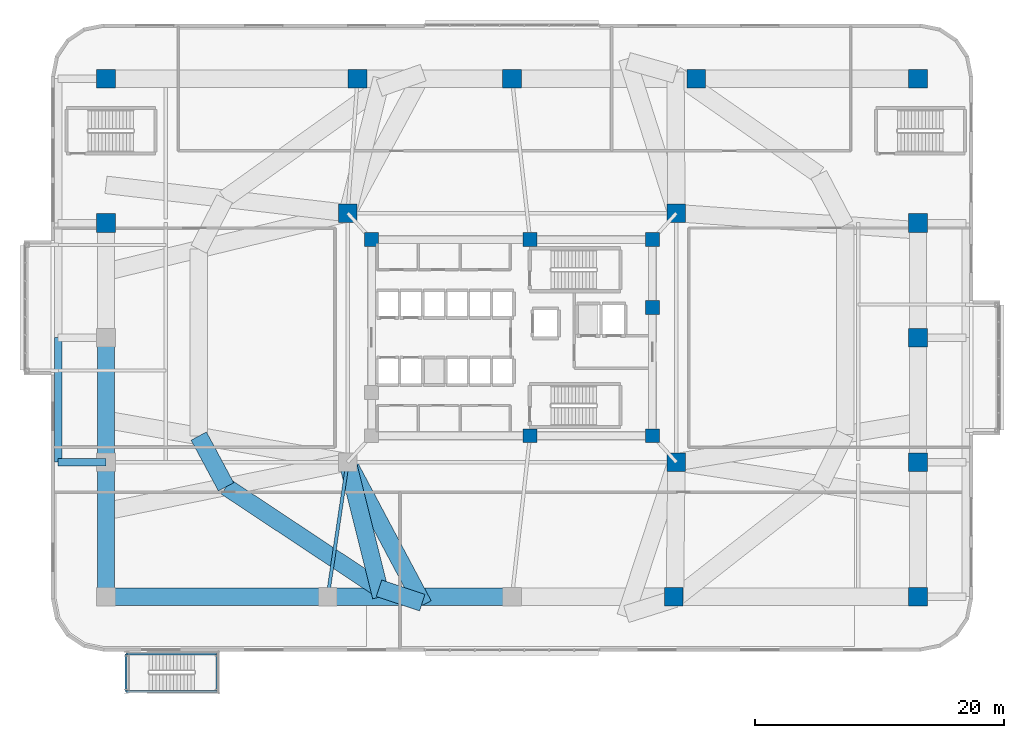
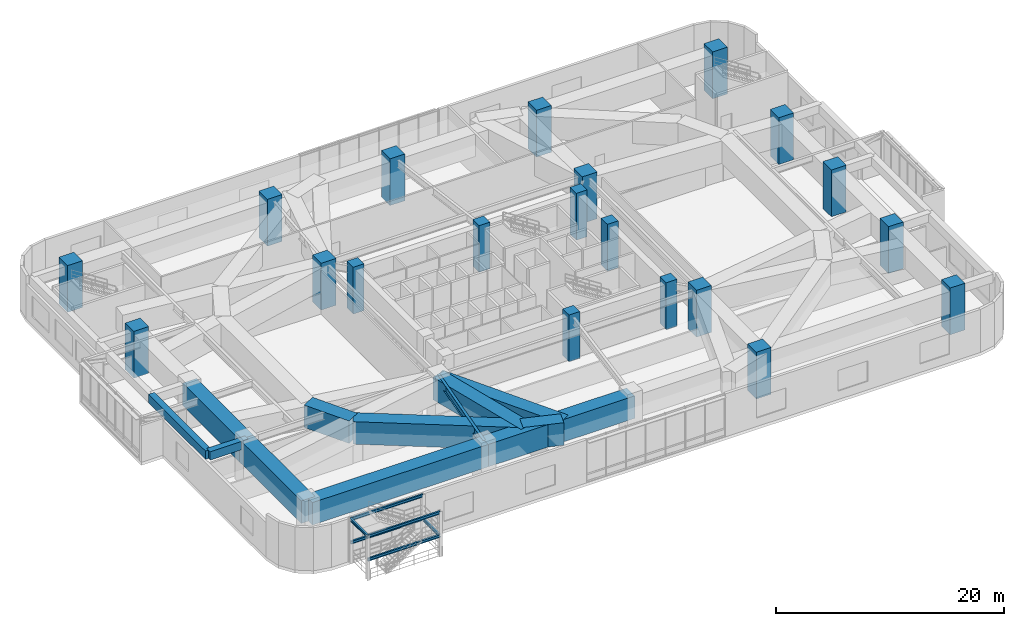
# One storey, part 2 of 26: 20 columns, 18 beams.
"""IFC4 building model written with IfcOpenShell, lengths in metres."""

import ifcopenshell
import ifcopenshell.guid

model = None  # the IFC model being written
_history = None  # IfcOwnerHistory: only IFC2X3 demands one
_inside = {}  # id of a spatial element -> (the spatial element, [elements in it])
_under = {}  # id of a project, library or spatial element -> (it, [spatial elements below it])
_declared = {}  # id of a project -> (the project, [libraries it declares])
_typed = {}  # id of a type object -> (the type object, [elements of that type])
_made_of = {}  # id of a material, layer set ... -> (it, [elements and type objects made of it])


def new_model(schema):
    """Start an empty IFC model of exactly this schema.

    Asked for "IFC4X3", IfcOpenShell would pick the latest addendum, in which some entities
    have other attributes; the version numbers below select the first issue.
    IFC2X3 requires an IfcOwnerHistory on every rooted entity: one is made here for all.
    """
    global model, _history
    if schema == "IFC4X3":
        model = ifcopenshell.file(schema_version=(4, 3, 0, 0))
    else:
        model = ifcopenshell.file(schema=schema)
    _inside.clear()
    _under.clear()
    _declared.clear()
    _typed.clear()
    _made_of.clear()
    _history = None
    if model.schema == "IFC2X3":
        org = make("IfcOrganization", Name="unknown")
        user = make(
            "IfcPersonAndOrganization",
            ThePerson=make("IfcPerson", FamilyName="unknown"),
            TheOrganization=org,
        )
        app = make(
            "IfcApplication",
            ApplicationDeveloper=org,
            Version="unknown",
            ApplicationFullName="unknown",
            ApplicationIdentifier="unknown",
        )
        _history = make(
            "IfcOwnerHistory",
            OwningUser=user,
            OwningApplication=app,
            ChangeAction="ADDED",
            CreationDate=0,
        )
    return model


def make(cls, **values):
    """One entity of the class cls with the attributes given. An attribute that is None is left unset."""
    return model.create_entity(
        cls, **{name: value for name, value in values.items() if value is not None}
    )


def rooted(cls, **values):
    """An entity with a GlobalId (a new one), such as an element, a storey or a relation."""
    return make(cls, GlobalId=ifcopenshell.guid.new(), OwnerHistory=_history, **values)


def si_unit(unit_type, name, prefix=None):
    """IfcSIUnit, for example si_unit("LENGTHUNIT", "METRE", prefix="MILLI")."""
    return make("IfcSIUnit", UnitType=unit_type, Prefix=prefix, Name=name)


def assignment(units):
    """IfcUnitAssignment: the units of a project."""
    return None if units is None else make("IfcUnitAssignment", Units=units)


def point(xyz):
    """IfcCartesianPoint."""
    return None if xyz is None else make("IfcCartesianPoint", Coordinates=xyz)


def direction(xyz):
    """IfcDirection."""
    return None if xyz is None else make("IfcDirection", DirectionRatios=xyz)


def frame(location, z_axis=None, x_axis=None):
    """IfcAxis2Placement3D, a coordinate frame: its origin and axes. An axis left out is left unset."""
    return make(
        "IfcAxis2Placement3D",
        Location=point(location),
        Axis=direction(z_axis),
        RefDirection=direction(x_axis),
    )


def frame_2d(location, x_axis=None):
    """IfcAxis2Placement2D, a coordinate frame in the plane: its origin and x axis."""
    return make(
        "IfcAxis2Placement2D", Location=point(location), RefDirection=direction(x_axis)
    )


def origin():
    """The frame at (0, 0, 0) with its axes left unset."""
    return frame((0.0, 0.0, 0.0))


def origin_2d():
    """The frame at (0, 0) in the plane with its x axis left unset."""
    return frame_2d((0.0, 0.0))


def place(relative_to, where):
    """IfcLocalPlacement: puts the frame where relative to a parent placement (None: the world)."""
    return make(
        "IfcLocalPlacement", PlacementRelTo=relative_to, RelativePlacement=where
    )


def context(
    kind, dimensions, precision=None, world=None, true_north=None, identifier=None
):
    """IfcGeometricRepresentationContext, for example the 3D "Model" context."""
    return make(
        "IfcGeometricRepresentationContext",
        ContextIdentifier=identifier,
        ContextType=kind,
        CoordinateSpaceDimension=dimensions,
        Precision=precision,
        WorldCoordinateSystem=world,
        TrueNorth=true_north,
    )


def subcontext(parent, identifier, kind, view, scale=None):
    """IfcGeometricRepresentationSubContext, for example "Body" below "Model"."""
    return make(
        "IfcGeometricRepresentationSubContext",
        ContextIdentifier=identifier,
        ContextType=kind,
        ParentContext=parent,
        TargetScale=scale,
        TargetView=view,
    )


def project(units=None, contexts=None):
    """IfcProject with its units and contexts."""
    return rooted(
        "IfcProject",
        Name="project",
        RepresentationContexts=contexts,
        UnitsInContext=assignment(units),
    )


def spatial(cls, under=None, at=None, **own):
    """A site, building, storey or space (cls), placed at a placement, below another one or the project."""
    s = rooted(cls, ObjectPlacement=at, **own)
    if under is not None:
        _under.setdefault(under.id(), (under, []))[1].append(s)
    return s


def profile(cls, at=None, kind="AREA", **sizes):
    """A parametric profile (cls). Its sizes go by their IFC names, for example OverallWidth=200.0."""
    return make(cls, ProfileType=kind, Position=at, **sizes)


def rectangle(**sizes):
    """IfcRectangleProfileDef."""
    return profile("IfcRectangleProfileDef", **sizes)


def i_section(**sizes):
    """IfcIShapeProfileDef."""
    return profile("IfcIShapeProfileDef", **sizes)


def extrude(swept, where, along, depth):
    """IfcExtrudedAreaSolid: the profile swept, set in the frame where, extruded along a direction by depth."""
    return make(
        "IfcExtrudedAreaSolid",
        SweptArea=swept,
        Position=where,
        ExtrudedDirection=direction(along),
        Depth=depth,
    )


def shape(context_of_items, identifier, shape_type, items):
    """IfcShapeRepresentation: the items that make up one representation, for example the "Body"."""
    return make(
        "IfcShapeRepresentation",
        ContextOfItems=context_of_items,
        RepresentationIdentifier=identifier,
        RepresentationType=shape_type,
        Items=items,
    )


def material(Name=None, Category=None):
    """IfcMaterial."""
    return make("IfcMaterial", Name=Name, Category=Category)


def material_profile(
    of_material, cross_section, Name=None, Category=None, Priority=None
):
    """IfcMaterialProfile: a cross section and its material."""
    return make(
        "IfcMaterialProfile",
        Name=Name,
        Material=of_material,
        Profile=cross_section,
        Priority=Priority,
        Category=Category,
    )


def profile_set(profiles, Name=None, composite=None):
    """IfcMaterialProfileSet."""
    return make(
        "IfcMaterialProfileSet",
        Name=Name,
        MaterialProfiles=profiles,
        CompositeProfile=composite,
    )


def made_of(thing, what):
    """Note that an element or type object is made of a material, layer set ...; save() writes the relation."""
    if what is not None:
        _made_of.setdefault(what.id(), (what, []))[1].append(thing)
    return thing


def type_object(cls, material=None, **own):
    """A type object (cls), such as IfcWallType, which elements share."""
    return made_of(rooted(cls, **own), material)


def element(
    cls,
    number,
    at=None,
    inside=None,
    cuts=None,
    type_object=None,
    material=None,
    context=None,
    identifier="Body",
    shape_type=None,
    held_by="IfcProductDefinitionShape",
    body=None,
    shapes=None,
    **own,
):
    """One element of the class cls, such as IfcWall. Its Tag is "e" and its number.

    at: its placement. inside: the storey or other place that contains it. cuts: it is an
    opening in that element (IfcRelVoidsElement). A single representation is given by context,
    identifier, shape_type and body (its items); several are given by shapes. held_by: the class
    of the entity that holds the representations. save() writes the other relations.
    """
    e = rooted(cls, Tag="e%d" % number, ObjectPlacement=at, **own)
    if body is not None:
        shapes = [shape(context, identifier, shape_type, body)]
    if shapes is not None:
        e.Representation = make(held_by, Representations=shapes)
    if inside is not None:
        _inside.setdefault(inside.id(), (inside, []))[1].append(e)
    if cuts is not None:
        rooted(
            "IfcRelVoidsElement", RelatingBuildingElement=cuts, RelatedOpeningElement=e
        )
    if type_object is not None:
        _typed.setdefault(type_object.id(), (type_object, []))[1].append(e)
    return made_of(e, material)


def aggregate(whole, parts):
    """IfcRelAggregates: a whole, such as a stair, and the parts it consists of."""
    return rooted("IfcRelAggregates", RelatingObject=whole, RelatedObjects=parts)


def save(model, path):
    """Write the relations noted so far, then the file.

    IfcRelAggregates (storeys below a building ...), IfcRelContainedInSpatialStructure (elements
    in a storey), IfcRelDefinesByType, IfcRelAssociatesMaterial and IfcRelDeclares: one each for
    every whole, place, type object, material and project.
    """
    for whole, parts in _under.values():
        aggregate(whole, parts)
    for where, things in _inside.values():
        rooted(
            "IfcRelContainedInSpatialStructure",
            RelatedElements=things,
            RelatingStructure=where,
        )
    for kind, things in _typed.values():
        rooted("IfcRelDefinesByType", RelatedObjects=things, RelatingType=kind)
    for what, things in _made_of.values():
        rooted("IfcRelAssociatesMaterial", RelatedObjects=things, RelatingMaterial=what)
    for by, libraries in _declared.values():
        rooted("IfcRelDeclares", RelatingContext=by, RelatedDefinitions=libraries)
    model.write(path)


model = new_model("IFC4")

# Units and contexts
model_context = context("Model", 3, precision=1e-05, world=origin(), true_north=direction((0.0, 1.0)))
body_context = subcontext(model_context, "Body", "Model", "MODEL_VIEW")
ifc_project = project(units=[si_unit("LENGTHUNIT", "METRE"), si_unit("AREAUNIT", "SQUARE_METRE"), si_unit("VOLUMEUNIT", "CUBIC_METRE"), si_unit("PLANEANGLEUNIT", "RADIAN"), si_unit("MASSUNIT", "GRAM", prefix="KILO")], contexts=[model_context])

# Site, building, storey
site_placement = place(None, origin())
site = spatial("IfcSite", under=ifc_project, at=site_placement, CompositionType="ELEMENT")
building_placement = place(site_placement, origin())
building = spatial("IfcBuilding", under=site, at=building_placement, Name="Zulverin Broadcast Headquarters", CompositionType="ELEMENT")
storey_placement = place(building_placement, frame((0.0, 0.0, 20.0)))
storey = spatial("IfcBuildingStorey", under=building, at=storey_placement, Name="L04", CompositionType="ELEMENT", Elevation=20.0)

# Columns
ifc_material_1 = material(Name="Concrete C60/75", Category="concrete")
ifc_material_profile_1 = material_profile(ifc_material_1, rectangle(XDim=1.5, YDim=1.5, at=origin_2d()), Name="Concrete C60/75", Category="concrete")
ifc_profile_set_1 = profile_set([ifc_material_profile_1], Name="Concrete C60/75")
column_type_1 = type_object("IfcColumnType", Name="COL-RC-1500", PredefinedType="COLUMN", material=ifc_profile_set_1)
for number, where, z_axis, x_axis, name in (
    (1, (50.0, 4.39990234375, 0.0), (0.0, 0.0, 1.0), (1.0, 0.0, 0.0), "L04 Podium Mega Column P04"),
    (2, (69.60009765625, 4.39990234375, 0.0), (0.0, 0.0, 1.0), (1.0, 0.0, 0.0), "L04 Podium Mega Column P05"),
    (3, (4.39990234375, 46.0, 0.0), (0.0, 0.0, 1.0), (1.0, 0.0, 0.0), "L04 Podium Mega Column P06"),
    (4, (24.60009765625, 46.0, 0.0), (0.0, 0.0, 1.0), (1.0, 0.0, 0.0), "L04 Podium Mega Column P07"),
    (5, (37.0, 46.0, 0.0), (0.0, 0.0, 1.0), (1.0, 0.0, 0.0), "L04 Podium Mega Column P08"),
    (6, (51.800048828125, 46.0, 0.0), (0.0, 0.0, 1.0), (1.0, 0.0, 0.0), "L04 Podium Mega Column P09"),
    (7, (69.60009765625, 46.0, 0.0), (0.0, 0.0, 1.0), (1.0, 0.0, 0.0), "L04 Podium Mega Column P10"),
    (8, (4.39990234375, 34.39990234375, 0.0), (0.0, 0.0, 1.0), (1.0, 0.0, 0.0), "L04 Podium Mega Column P13"),
    (9, (69.60009765625, 15.199951171875, 0.0), (0.0, 0.0, 1.0), (1.0, 0.0, 0.0), "L04 Podium Mega Column P14"),
    (10, (69.60009765625, 25.199951171875, 0.0), (0.0, 0.0, 1.0), (1.0, 0.0, 0.0), "L04 Podium Mega Column P15"),
    (11, (69.60009765625, 34.39990234375, 0.0), (0.0, 0.0, 1.0), (1.0, 0.0, 0.0), "L04 Podium Mega Column P16"),
    (12, (50.199951171875, 15.199951171875, 0.0), (0.0, 0.0, 1.0), (1.0, 0.0, 0.0), "L04 Podium Mega Column M02"),
    (13, (50.199951171875, 35.199951171875, 0.0), (0.0, 0.0, 1.0), (1.0, 0.0, 0.0), "L04 Podium Mega Column M03"),
    (14, (23.800048828125, 35.199951171875, 0.0), (0.0, 0.0, 1.0), (1.0, 0.0, 0.0), "L04 Podium Mega Column M04"),
):
    element("IfcColumn", number, at=place(storey_placement, frame(where, z_axis=z_axis, x_axis=x_axis)), inside=storey, type_object=column_type_1, Name=name, PredefinedType="COLUMN", context=body_context, shape_type="SweptSolid", body=[
        extrude(rectangle(XDim=1.5, YDim=1.5, at=origin_2d()), origin(), (0.0, 0.0, 1.0), 5.0),
    ])
ifc_material_profile_2 = material_profile(ifc_material_1, rectangle(XDim=1.10009765625, YDim=1.10009765625, at=origin_2d()), Name="Concrete C60/75", Category="concrete")
ifc_profile_set_2 = profile_set([ifc_material_profile_2], Name="Concrete C60/75")
column_type_2 = type_object("IfcColumnType", Name="PIL-RC-1100", PredefinedType="PILASTER", material=ifc_profile_set_2)
for number, where, z_axis, x_axis, name in (
    (15, (38.449951171875, 17.324951171875, 0.0), (0.0, 0.0, 1.0), (1.0, 0.0, 0.0), "L04 Core Pilaster K02"),
    (16, (48.27490234375, 17.324951171875, 0.0), (0.0, 0.0, 1.0), (1.0, 0.0, 0.0), "L04 Core Pilaster K03"),
    (17, (48.27490234375, 27.6201171875, 0.0), (0.0, 0.0, 1.0), (1.0, 0.0, 0.0), "L04 Core Pilaster K04"),
    (18, (48.27490234375, 33.074951171875, 0.0), (0.0, 0.0, 1.0), (1.0, 0.0, 0.0), "L04 Core Pilaster K05"),
    (19, (38.449951171875, 33.074951171875, 0.0), (0.0, 0.0, 1.0), (1.0, 0.0, 0.0), "L04 Core Pilaster K06"),
    (20, (25.72509765625, 33.074951171875, 0.0), (0.0, 0.0, 1.0), (1.0, 0.0, 0.0), "L04 Core Pilaster K07"),
):
    element("IfcColumn", number, at=place(storey_placement, frame(where, z_axis=z_axis, x_axis=x_axis)), inside=storey, type_object=column_type_2, Name=name, PredefinedType="PILASTER", context=body_context, shape_type="SweptSolid", body=[
        extrude(rectangle(XDim=1.10009765625, YDim=1.10009765625, at=origin_2d()), origin(), (0.0, 0.0, 1.0), 5.0),
    ])

# Beams
ifc_material_2 = material(Name="Concrete C40/50", Category="concrete")
ifc_material_profile_3 = material_profile(ifc_material_2, rectangle(XDim=0.60009765625, YDim=0.89990234375, at=origin_2d()), Name="Concrete C40/50", Category="concrete")
ifc_profile_set_3 = profile_set([ifc_material_profile_3], Name="Concrete C40/50")
beam_type_1 = type_object("IfcBeamType", Name="BM-RC-600x900", PredefinedType="BEAM", material=ifc_profile_set_3)
beam_1_placement = place(storey_placement, frame((4.39990234375, 15.199951171875, 4.14990234375), z_axis=(-1.0, 0.0, 0.0), x_axis=(0.0, -1.0, 0.0)))
element("IfcBeam", 21, at=beam_1_placement, inside=storey, type_object=beam_type_1, Name="L04 West Perimeter Bracket Girder WBR-1", PredefinedType="BEAM", context=body_context, shape_type="SweptSolid", body=[
    extrude(rectangle(XDim=0.60009765625, YDim=0.89990234375, at=origin_2d()), origin(), (0.0, 0.0, 1.0), 3.849853515625),
])
beam_2_placement = place(storey_placement, frame((0.550048828125, 15.199951171875, 4.14990234375), z_axis=(0.0, 1.0, 0.0), x_axis=(-1.0, 0.0, 0.0)))
element("IfcBeam", 22, at=beam_2_placement, inside=storey, type_object=beam_type_1, Name="L04 West Edge Spandrel Girder WEG-1", PredefinedType="BEAM", context=body_context, shape_type="SweptSolid", body=[
    extrude(rectangle(XDim=0.60009765625, YDim=0.89990234375, at=origin_2d()), origin(), (0.0, 0.0, 1.0), 10.0),
])
ifc_material_profile_4 = material_profile(ifc_material_1, rectangle(XDim=1.39990234375, YDim=2.39990234375, at=origin_2d()), Name="Concrete C60/75", Category="concrete")
ifc_profile_set_4 = profile_set([ifc_material_profile_4], Name="Concrete C60/75")
beam_type_2 = type_object("IfcBeamType", Name="BM-TG-1400x2400", PredefinedType="USERDEFINED", material=ifc_profile_set_4)
beam_3_placement = place(storey_placement, frame((4.39990234375, 4.39990234375, 3.39990234375), z_axis=(1.0, 0.0, 0.0), x_axis=(0.0, 1.0, 0.0)))
element("IfcBeam", 23, at=beam_3_placement, inside=storey, type_object=beam_type_2, Name="L04 Podium Transfer Ring Girder P01-P02", ObjectType="TRANSFER GIRDER", PredefinedType="USERDEFINED", context=body_context, shape_type="SweptSolid", body=[
    extrude(rectangle(XDim=1.39990234375, YDim=2.39990234375, at=origin_2d()), origin(), (0.0, 0.0, 1.0), 17.800048828125),
])
beam_4_placement = place(storey_placement, frame((22.199951171875, 4.39990234375, 3.39990234375), z_axis=(1.0, 0.0, 0.0), x_axis=(0.0, 1.0, 0.0)))
element("IfcBeam", 24, at=beam_4_placement, inside=storey, type_object=beam_type_2, Name="L04 Podium Transfer Ring Girder P02-P03", ObjectType="TRANSFER GIRDER", PredefinedType="USERDEFINED", context=body_context, shape_type="SweptSolid", body=[
    extrude(rectangle(XDim=1.39990234375, YDim=2.39990234375, at=origin_2d()), origin(), (0.0, 0.0, 1.0), 14.800048828125),
])
beam_5_placement = place(storey_placement, frame((4.39990234375, 25.199951171875, 3.39990234375), z_axis=(0.0, -1.0, 0.0), x_axis=(1.0, 0.0, 0.0)))
element("IfcBeam", 25, at=beam_5_placement, inside=storey, type_object=beam_type_2, Name="L04 Podium Transfer Ring Girder P12-P11", ObjectType="TRANSFER GIRDER", PredefinedType="USERDEFINED", context=body_context, shape_type="SweptSolid", body=[
    extrude(rectangle(XDim=1.39990234375, YDim=2.39990234375, at=origin_2d()), origin(), (0.0, 0.0, 1.0), 10.0),
])
beam_6_placement = place(storey_placement, frame((4.39990234375, 15.199951171875, 3.39990234375), z_axis=(0.0, -1.0, 0.0), x_axis=(1.0, 0.0, 0.0)))
element("IfcBeam", 26, at=beam_6_placement, inside=storey, type_object=beam_type_2, Name="L04 Podium Transfer Ring Girder P11-P01", ObjectType="TRANSFER GIRDER", PredefinedType="USERDEFINED", context=body_context, shape_type="SweptSolid", body=[
    extrude(rectangle(XDim=1.39990234375, YDim=2.39990234375, at=origin_2d()), origin(), (0.0, 0.0, 1.0), 10.800048828125),
])
beam_7_placement = place(storey_placement, frame((23.800048828125, 15.199951171875, 3.39990234375), z_axis=(0.469453789367, -0.882957042924, 0.0), x_axis=(0.882957042924, 0.469453789367, 0.0)))
element("IfcBeam", 27, at=beam_7_placement, inside=storey, type_object=beam_type_2, Name="L05 Tower Base Continuous Transfer Girder TG-01", ObjectType="TRANSFER GIRDER", PredefinedType="USERDEFINED", context=body_context, shape_type="SweptSolid", body=[
    extrude(rectangle(XDim=1.39990234375, YDim=2.39990234375, at=origin_2d()), origin(), (0.0, 0.0, 1.0), 12.97265625),
])
beam_8_placement = place(storey_placement, frame((11.85009765625, 17.297607421875, 3.39990234375), z_axis=(0.472979536362, -0.881073412482, 0.0), x_axis=(0.881073412482, 0.472979536362, 0.0)))
element("IfcBeam", 28, at=beam_8_placement, inside=storey, type_object=beam_type_2, Name="L05 Tower Base Transfer Ring Girder TGR-14", ObjectType="TRANSFER GIRDER", PredefinedType="USERDEFINED", context=body_context, shape_type="SweptSolid", body=[
    extrude(rectangle(XDim=1.39990234375, YDim=2.39990234375, at=origin_2d()), origin(), (0.0, 0.0, 1.0), 4.6279296875),
])
beam_9_placement = place(storey_placement, frame((14.0390625, 13.219970703125, 3.39990234375), z_axis=(0.833510030956, -0.552504324232, 0.0), x_axis=(0.552504324232, 0.833510030956, 0.0)))
element("IfcBeam", 29, at=beam_9_placement, inside=storey, type_object=beam_type_2, Name="L05 Tower Base Transfer Ring Girder TGR-15", ObjectType="TRANSFER GIRDER", PredefinedType="USERDEFINED", context=body_context, shape_type="SweptSolid", body=[
    extrude(rectangle(XDim=1.39990234375, YDim=2.39990234375, at=origin_2d()), origin(), (0.0, 0.0, 1.0), 14.740234375),
])
beam_10_placement = place(storey_placement, frame((23.800048828125, 15.199951171875, 3.39990234375), z_axis=(0.241993697613, -0.970277821201, 0.0), x_axis=(0.970277821201, 0.241993697613, 0.0)))
element("IfcBeam", 30, at=beam_10_placement, inside=storey, type_object=beam_type_2, Name="L05 Tower Base Continuous Transfer Girder TG-16", ObjectType="TRANSFER GIRDER", PredefinedType="USERDEFINED", context=body_context, shape_type="SweptSolid", body=[
    extrude(rectangle(XDim=1.39990234375, YDim=2.39990234375, at=origin_2d()), origin(), (0.0, 0.0, 1.0), 11.130859375),
])
beam_11_placement = place(storey_placement, frame((26.3251953125, 5.075927734375, 3.39990234375), z_axis=(0.948949931395, -0.315426739047, 0.0), x_axis=(0.315426739047, 0.948949931395, 0.0)))
element("IfcBeam", 31, at=beam_11_placement, inside=storey, type_object=beam_type_2, Name="L05 Tower Base Transfer Ring Girder TGR-16", ObjectType="TRANSFER GIRDER", PredefinedType="USERDEFINED", context=body_context, shape_type="SweptSolid", body=[
    extrude(rectangle(XDim=1.39990234375, YDim=2.39990234375, at=origin_2d()), origin(), (0.0, 0.0, 1.0), 3.657958984375),
])
ifc_material_3 = material(Name="Structural steel S355JR", Category="steel")
ifc_material_profile_5 = material_profile(ifc_material_3, i_section(OverallWidth=0.1669921875, OverallDepth=0.310302734375, WebThickness=0.0078125, FlangeThickness=0.013671875, at=origin_2d()), Name="Structural steel S355JR", Category="steel")
ifc_profile_set_5 = profile_set([ifc_material_profile_5], Name="Structural steel S355JR")
beam_type_3 = type_object("IfcBeamType", Name="BM-UB-305", PredefinedType="SPANDREL", material=ifc_profile_set_5)
beam_12_placement = place(storey_placement, frame((13.320068359375, -3.199951171875, 2.144775390625), z_axis=(0.0, 1.0, 0.0), x_axis=(-1.0, 0.0, 0.0)))
element("IfcBeam", 32, at=beam_12_placement, inside=storey, type_object=beam_type_3, Name="L04 Garden Stair Half-Landing Beam E", PredefinedType="SPANDREL", context=body_context, shape_type="SweptSolid", body=[
    extrude(i_section(OverallWidth=0.1669921875, OverallDepth=0.310302734375, WebThickness=0.0078125, FlangeThickness=0.013671875, at=origin_2d()), origin(), (0.0, 0.0, 1.0), 3.0),
])
for number, where, z_axis, x_axis, name in (
    (33, (6.02001953125, -3.199951171875, 2.144775390625), (1.0, 0.0, 0.0), (0.0, 1.0, 0.0), "L04 Garden Stair Half-Landing Stringer S"),
    (34, (6.02001953125, -0.199951171875, 2.144775390625), (1.0, 0.0, 0.0), (0.0, 1.0, 0.0), "L04 Garden Stair Half-Landing Stringer N"),
):
    element("IfcBeam", number, at=place(storey_placement, frame(where, z_axis=z_axis, x_axis=x_axis)), inside=storey, type_object=beam_type_3, Name=name, PredefinedType="SPANDREL", context=body_context, shape_type="SweptSolid", body=[
        extrude(i_section(OverallWidth=0.1669921875, OverallDepth=0.310302734375, WebThickness=0.0078125, FlangeThickness=0.013671875, at=origin_2d()), origin(), (0.0, 0.0, 1.0), 7.300048828125),
    ])
beam_13_placement = place(storey_placement, frame((6.02001953125, -3.199951171875, 4.644775390625), z_axis=(0.0, 1.0, 0.0), x_axis=(-1.0, 0.0, 0.0)))
element("IfcBeam", 35, at=beam_13_placement, inside=storey, type_object=beam_type_3, Name="L04 Garden Stair Floor-Landing Beam W", PredefinedType="SPANDREL", context=body_context, shape_type="SweptSolid", body=[
    extrude(i_section(OverallWidth=0.1669921875, OverallDepth=0.310302734375, WebThickness=0.0078125, FlangeThickness=0.013671875, at=origin_2d()), origin(), (0.0, 0.0, 1.0), 3.0),
])
for number, where, z_axis, x_axis, name in (
    (36, (6.02001953125, -3.199951171875, 4.644775390625), (1.0, 0.0, 0.0), (0.0, 1.0, 0.0), "L04 Garden Stair Upper Stringer S"),
    (37, (6.02001953125, -0.199951171875, 4.644775390625), (1.0, 0.0, 0.0), (0.0, 1.0, 0.0), "L04 Garden Stair Upper Stringer N"),
):
    element("IfcBeam", number, at=place(storey_placement, frame(where, z_axis=z_axis, x_axis=x_axis)), inside=storey, type_object=beam_type_3, Name=name, PredefinedType="SPANDREL", context=body_context, shape_type="SweptSolid", body=[
        extrude(i_section(OverallWidth=0.1669921875, OverallDepth=0.310302734375, WebThickness=0.0078125, FlangeThickness=0.013671875, at=origin_2d()), origin(), (0.0, 0.0, 1.0), 7.300048828125),
    ])
ifc_material_profile_6 = material_profile(ifc_material_3, i_section(OverallWidth=0.26806640625, OverallDepth=0.769775390625, WebThickness=0.015625, FlangeThickness=0.025390625, at=origin_2d()), Name="Structural steel S355JR", Category="steel")
ifc_profile_set_6 = profile_set([ifc_material_profile_6], Name="Structural steel S355JR")
beam_type_4 = type_object("IfcBeamType", Name="BM-UB-762", PredefinedType="BEAM", material=ifc_profile_set_6)
beam_14_placement = place(storey_placement, frame((22.199951171875, 4.39990234375, 4.215087890625), z_axis=(0.146556765224, 0.989202261707, 0.0), x_axis=(-0.989202261707, 0.146556765224, 0.0)))
element("IfcBeam", 38, at=beam_14_placement, inside=storey, type_object=beam_type_4, Name="L04 Podium Primary Girder P02-M01", PredefinedType="BEAM", context=body_context, shape_type="SweptSolid", body=[
    extrude(i_section(OverallWidth=0.26806640625, OverallDepth=0.769775390625, WebThickness=0.015625, FlangeThickness=0.025390625, at=origin_2d()), origin(), (0.0, 0.0, 1.0), 10.91796875),
])

save(model, "model.ifc")
